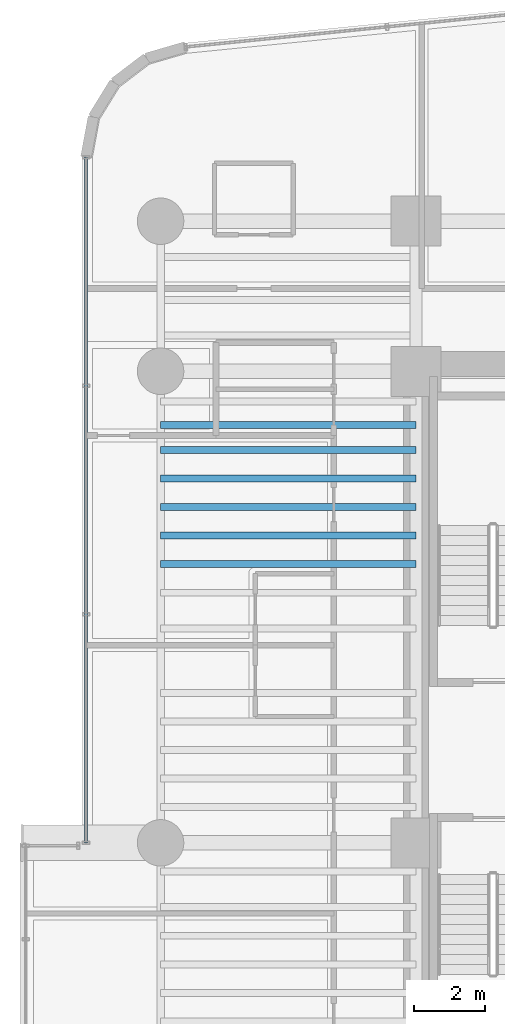
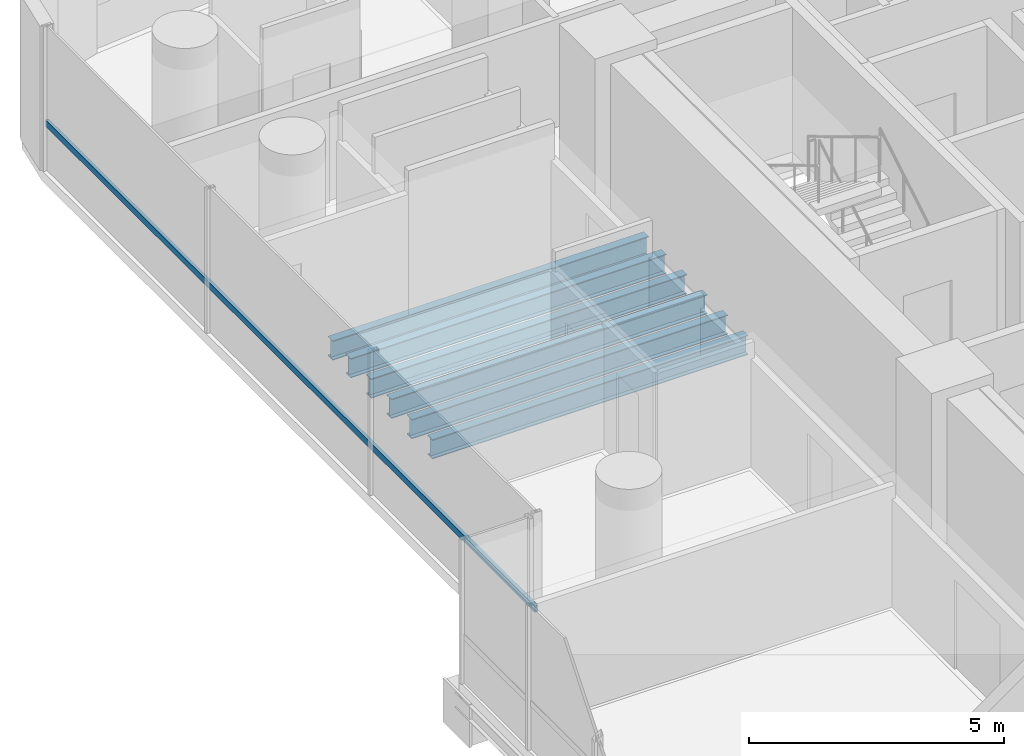
# One storey, part 9 of 40: 6 beams, 1 member, 1 element without a shape of its own.
"""IFC4 building model written with IfcOpenShell, lengths in metres."""

from ifc_helpers import new_model, si_unit, direction, frame, origin, origin_2d, place, context, subcontext, project, spatial, hollow_rectangle, i_section, extrude, source, transform, mapped, material, material_profile, profile_set, type_object, element, aggregate, save


model = new_model("IFC4")

# Units and contexts
model_context = context("Model", 3, precision=1e-05, world=origin(), true_north=direction((0.0, 1.0)))
body_context = subcontext(model_context, "Body", "Model", "MODEL_VIEW")
ifc_project = project(units=[si_unit("LENGTHUNIT", "METRE"), si_unit("AREAUNIT", "SQUARE_METRE"), si_unit("VOLUMEUNIT", "CUBIC_METRE"), si_unit("PLANEANGLEUNIT", "RADIAN"), si_unit("MASSUNIT", "GRAM", prefix="KILO")], contexts=[model_context])

# Site, building, storey
site_placement = place(None, origin())
site = spatial("IfcSite", under=ifc_project, at=site_placement, CompositionType="ELEMENT")
building_placement = place(site_placement, origin())
building = spatial("IfcBuilding", under=site, at=building_placement, Name="Valdorenza Pilgrim Sanctuary Tower", CompositionType="ELEMENT")
storey_placement = place(building_placement, frame((0.0, 0.0, 92.60009765625)))
storey = spatial("IfcBuildingStorey", under=building, at=storey_placement, Name="L23", CompositionType="ELEMENT", Elevation=92.60009765625)

# Beams
ifc_material_1 = material(Name="Steel ASTM A992 Grade 50", Category="steel")
ifc_material_profile_1 = material_profile(ifc_material_1, i_section(OverallWidth=0.193115234375, OverallDepth=0.466064453125, WebThickness=0.011474609375, FlangeThickness=0.01904296875, at=origin_2d()), Name="W18X65")
ifc_profile_set_1 = profile_set([ifc_material_profile_1], Name="Steel ASTM A992 Grade 50")
beam_type = type_object("IfcBeamType", Name="STR-BM-JST-W18A", PredefinedType="JOIST", material=ifc_profile_set_1)
shared_shape_1 = source(origin(), body_context, "Body", "SweptSolid", [
    extrude(i_section(OverallWidth=0.193115234375, OverallDepth=0.466064453125, WebThickness=0.011474609375, FlangeThickness=0.01904296875, at=origin_2d()), origin(), (0.0, 0.0, 1.0), 7.150146484375),
])
for number, where, z_axis, x_axis, name in (
    (1, (-29.800048828125, 5.199951171875, -0.47314453125), (1.0, 0.0, 0.0), (0.0, 1.0, 0.0), "L23 Composite Floor Joist JST-WA-17"),
    (2, (-29.800048828125, 6.0, -0.47314453125), (1.0, 0.0, 0.0), (0.0, 1.0, 0.0), "L23 Composite Floor Joist JST-WA-18"),
    (3, (-29.800048828125, 6.800048828125, -0.47314453125), (1.0, 0.0, 0.0), (0.0, 1.0, 0.0), "L23 Composite Floor Joist JST-WA-19"),
    (4, (-29.800048828125, 7.60009765625, -0.47314453125), (1.0, 0.0, 0.0), (0.0, 1.0, 0.0), "L23 Composite Floor Joist JST-WA-20"),
    (5, (-29.800048828125, 8.39990234375, -0.47314453125), (1.0, 0.0, 0.0), (0.0, 1.0, 0.0), "L23 Composite Floor Joist JST-WA-21"),
    (6, (-29.800048828125, 9.10009765625, -0.47314453125), (1.0, 0.0, 0.0), (0.0, 1.0, 0.0), "L23 Composite Floor Joist JST-WA-22"),
):
    element("IfcBeam", number, at=place(storey_placement, frame(where, z_axis=z_axis, x_axis=x_axis)), inside=storey, type_object=beam_type, Name=name, PredefinedType="JOIST", context=body_context, shape_type="MappedRepresentation", body=[
        mapped(shared_shape_1, transform((0.0, 0.0, 0.0), x_axis=(1.0, 0.0, 0.0), y_axis=(0.0, 1.0, 0.0), z_axis=(0.0, 0.0, 1.0), scale=1.0)),
    ])

# Curtain wall, member
ifc_material_2 = material(Name="Curtain-wall IGU glazing", Category="glass")
curtain_wall_type = type_object("IfcCurtainWallType", Name="CW-SYS-02", PredefinedType="NOTDEFINED", material=ifc_material_2)
curtain_wall_placement = place(storey_placement, origin())
curtain_wall = element("IfcCurtainWall", 7, at=curtain_wall_placement, inside=storey, type_object=curtain_wall_type, Name="L23 Curtain Wall CW-L23-1-1S2", PredefinedType="NOTDEFINED")
ifc_material_3 = material(Name="Anodised aluminium AW-6060", Category="aluminium")
ifc_material_profile_2 = material_profile(ifc_material_3, hollow_rectangle(XDim=0.074951171875, YDim=0.14990234375, WallThickness=0.00390625, at=origin_2d()), Name="ALU-T 150x75x4")
ifc_profile_set_2 = profile_set([ifc_material_profile_2], Name="Anodised aluminium AW-6060")
member_type = type_object("IfcMemberType", Name="CW-TRN-02", PredefinedType="USERDEFINED", material=ifc_profile_set_2)
shared_shape_2 = source(origin(), body_context, "Body", "SweptSolid", [
    extrude(hollow_rectangle(XDim=0.074951171875, YDim=0.14990234375, WallThickness=0.00390625, at=origin_2d()), origin(), (0.0, 0.0, 1.0), 19.194091796875),
])
member_placement = place(storey_placement, frame((-31.889892578125, -2.60009765625, 1.119873046875), z_axis=(0.0, 1.0, 0.0), x_axis=(-1.0, 0.0, 0.0)))
member = element("IfcMember", 8, at=member_placement, type_object=member_type, Name="CW-L23-1-1S2 Transom 1", ObjectType="TRANSOM", PredefinedType="USERDEFINED", context=body_context, shape_type="MappedRepresentation", body=[
    mapped(shared_shape_2, transform((0.0, 0.0, 0.0), x_axis=(1.0, 0.0, 0.0), y_axis=(0.0, 1.0, 0.0), z_axis=(0.0, 0.0, 1.0), scale=1.0)),
])
aggregate(curtain_wall, [member])

save(model, "model.ifc")
